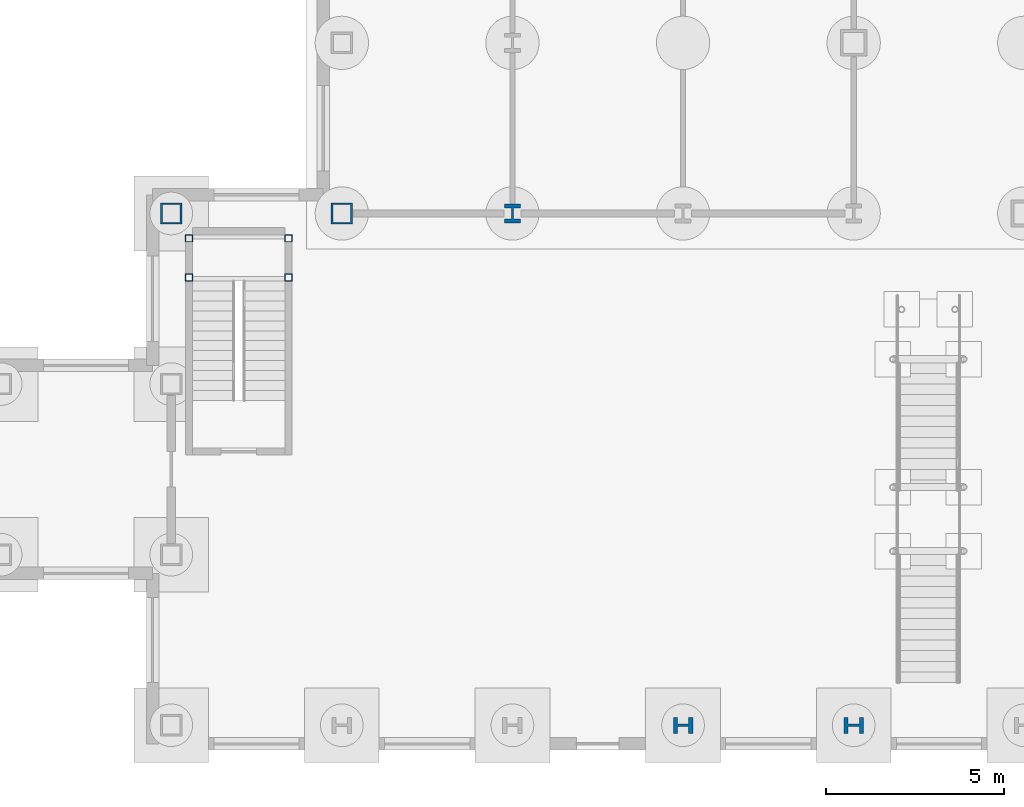
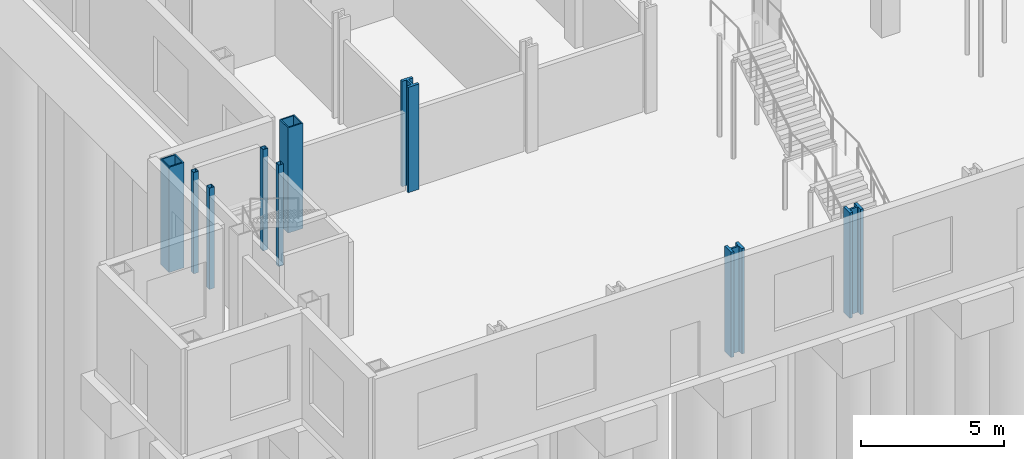
# One storey, part 2 of 22: 9 columns.
"""IFC4 building model written with IfcOpenShell, lengths in metres."""

from ifc_helpers import new_model, si_unit, direction, frame, origin, origin_2d, place, context, subcontext, project, spatial, hollow_rectangle, i_section, extrude, material, material_profile, profile_set, type_object, element, save


model = new_model("IFC4")

# Units and contexts
model_context = context("Model", 3, precision=1e-05, world=origin(), true_north=direction((0.0, 1.0)))
body_context = subcontext(model_context, "Body", "Model", "MODEL_VIEW")
ifc_project = project(units=[si_unit("LENGTHUNIT", "METRE"), si_unit("AREAUNIT", "SQUARE_METRE"), si_unit("VOLUMEUNIT", "CUBIC_METRE"), si_unit("PLANEANGLEUNIT", "RADIAN"), si_unit("MASSUNIT", "GRAM", prefix="KILO")], contexts=[model_context])

# Site, building, storey
site_placement = place(None, origin())
site = spatial("IfcSite", under=ifc_project, at=site_placement, CompositionType="ELEMENT")
building_placement = place(site_placement, origin())
building = spatial("IfcBuilding", under=site, at=building_placement, Name="Kvirike Care Tower", CompositionType="ELEMENT")
storey_placement = place(building_placement, origin())
storey = spatial("IfcBuildingStorey", under=building, at=storey_placement, Name="L00", CompositionType="ELEMENT", Elevation=0.0)

# Columns
ifc_material_1 = material(Name="Steel S460", Category="steel")
ifc_material_profile_1 = material_profile(ifc_material_1, hollow_rectangle(XDim=0.60009765625, YDim=0.60009765625, WallThickness=0.050048828125, at=origin_2d()), Name="BX 600x600x50")
ifc_profile_set_1 = profile_set([ifc_material_profile_1], Name="Steel S460")
column_type_1 = type_object("IfcColumnType", Name="COLUMN BX 600x600x50", PredefinedType="COLUMN", material=ifc_profile_set_1)
for number, where, z_axis, x_axis, name in (
    (1, (-4.800048828125, 14.39990234375, 0.0), (0.0, 0.0, 1.0), (0.0, 1.0, 0.0), "Column D2 L00"),
    (2, (0.0, 14.39990234375, 0.0), (0.0, 0.0, 1.0), (0.0, 1.0, 0.0), "Column D3 L00"),
):
    element("IfcColumn", number, at=place(storey_placement, frame(where, z_axis=z_axis, x_axis=x_axis)), inside=storey, type_object=column_type_1, Name=name, PredefinedType="COLUMN", context=body_context, shape_type="SweptSolid", body=[
        extrude(hollow_rectangle(XDim=0.60009765625, YDim=0.60009765625, WallThickness=0.050048828125, at=origin_2d()), origin(), (0.0, 0.0, 1.0), 4.5),
    ])
ifc_material_2 = material(Name="Steel S460", Category="steel")
ifc_material_profile_2 = material_profile(ifc_material_2, i_section(OverallWidth=0.44189453125, OverallDepth=0.531005859375, WebThickness=0.06591796875, FlangeThickness=0.10595703125, FilletRadius=0.014892578125, at=origin_2d()), Name="HD 400x900")
ifc_profile_set_2 = profile_set([ifc_material_profile_2], Name="Steel S460")
column_type_2 = type_object("IfcColumnType", Name="COLUMN HD 400x900", PredefinedType="COLUMN", material=ifc_profile_set_2)
column_placement = place(storey_placement, frame((4.800048828125, 14.39990234375, 0.0), z_axis=(0.0, 0.0, 1.0), x_axis=(1.0, 0.0, 0.0)))
element("IfcColumn", 3, at=column_placement, inside=storey, type_object=column_type_2, Name="Column D4 L00", PredefinedType="COLUMN", context=body_context, shape_type="SweptSolid", body=[
    extrude(i_section(OverallWidth=0.44189453125, OverallDepth=0.531005859375, WebThickness=0.06591796875, FlangeThickness=0.10595703125, FilletRadius=0.014892578125, at=origin_2d()), origin(), (0.0, 0.0, 1.0), 4.5),
])
ifc_material_3 = material(Name="Steel S460", Category="steel")
ifc_material_profile_3 = material_profile(ifc_material_3, i_section(OverallWidth=0.447998046875, OverallDepth=0.550048828125, WebThickness=0.072021484375, FlangeThickness=0.114990234375, FilletRadius=0.014892578125, at=origin_2d()), Name="HD 400x990")
ifc_profile_set_3 = profile_set([ifc_material_profile_3], Name="Steel S460")
column_type_3 = type_object("IfcColumnType", Name="COLUMN HD 400x990", PredefinedType="COLUMN", material=ifc_profile_set_3)
for number, where, z_axis, x_axis, name in (
    (4, (9.60009765625, 0.0, 0.0), (0.0, 0.0, 1.0), (0.0, 1.0, 0.0), "Column A5 L00"),
    (5, (14.39990234375, 0.0, 0.0), (0.0, 0.0, 1.0), (0.0, 1.0, 0.0), "Column A6 L00"),
):
    element("IfcColumn", number, at=place(storey_placement, frame(where, z_axis=z_axis, x_axis=x_axis)), inside=storey, type_object=column_type_3, Name=name, PredefinedType="COLUMN", context=body_context, shape_type="SweptSolid", body=[
        extrude(i_section(OverallWidth=0.447998046875, OverallDepth=0.550048828125, WebThickness=0.072021484375, FlangeThickness=0.114990234375, FilletRadius=0.014892578125, at=origin_2d()), origin(), (0.0, 0.0, 1.0), 4.5),
    ])
ifc_material_4 = material(Name="Steel S460", Category="steel")
ifc_material_profile_4 = material_profile(ifc_material_4, hollow_rectangle(XDim=0.199951171875, YDim=0.199951171875, WallThickness=0.008056640625, at=origin_2d()), Name="SHS 200x200x8")
ifc_profile_set_4 = profile_set([ifc_material_profile_4], Name="Steel S460")
column_type_4 = type_object("IfcColumnType", Name="STAIR POST SHS 200x200x8", PredefinedType="COLUMN", material=ifc_profile_set_4)
for number, where, z_axis, x_axis, name in (
    (6, (-4.300048828125, 13.699951171875, 0.0), (0.0, 0.0, 1.0), (1.0, 0.0, 0.0), "Stair 3 post 1 L00"),
    (7, (-1.5, 13.699951171875, 0.0), (0.0, 0.0, 1.0), (1.0, 0.0, 0.0), "Stair 3 post 2 L00"),
    (8, (-4.300048828125, 12.60009765625, 0.0), (0.0, 0.0, 1.0), (1.0, 0.0, 0.0), "Stair 3 post 3 L00"),
    (9, (-1.5, 12.60009765625, 0.0), (0.0, 0.0, 1.0), (1.0, 0.0, 0.0), "Stair 3 post 4 L00"),
):
    element("IfcColumn", number, at=place(storey_placement, frame(where, z_axis=z_axis, x_axis=x_axis)), inside=storey, type_object=column_type_4, Name=name, PredefinedType="COLUMN", context=body_context, shape_type="SweptSolid", body=[
        extrude(hollow_rectangle(XDim=0.199951171875, YDim=0.199951171875, WallThickness=0.008056640625, at=origin_2d()), origin(), (0.0, 0.0, 1.0), 4.330078125),
    ])

save(model, "model.ifc")
